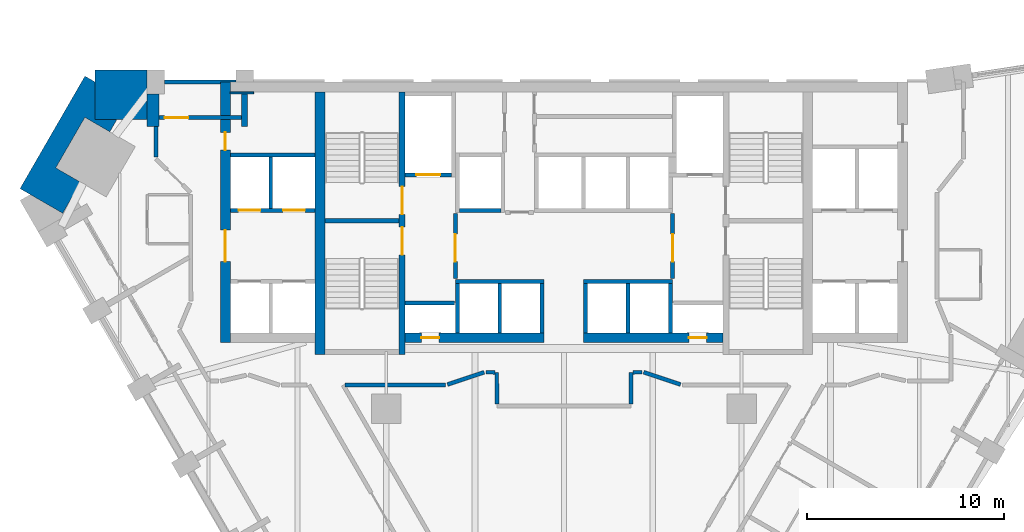
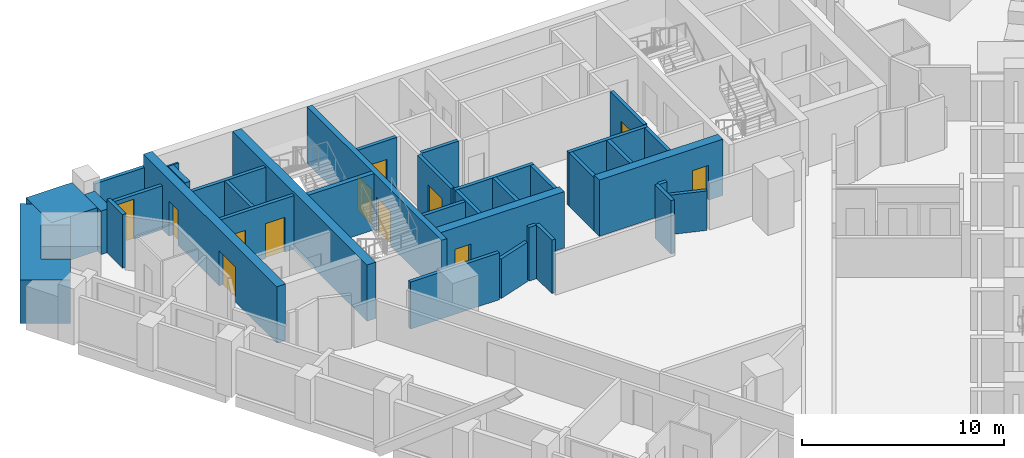
# One storey, part 6 of 10: 37 walls, 12 doors, 12 openings.
"""IFC4 building model written with IfcOpenShell, lengths in metres."""

import ifcopenshell
import ifcopenshell.guid

model = None  # the IFC model being written
_history = None  # IfcOwnerHistory: only IFC2X3 demands one
_inside = {}  # id of a spatial element -> (the spatial element, [elements in it])
_under = {}  # id of a project, library or spatial element -> (it, [spatial elements below it])
_declared = {}  # id of a project -> (the project, [libraries it declares])
_typed = {}  # id of a type object -> (the type object, [elements of that type])
_made_of = {}  # id of a material, layer set ... -> (it, [elements and type objects made of it])


def new_model(schema):
    """Start an empty IFC model of exactly this schema.

    Asked for "IFC4X3", IfcOpenShell would pick the latest addendum, in which some entities
    have other attributes; the version numbers below select the first issue.
    IFC2X3 requires an IfcOwnerHistory on every rooted entity: one is made here for all.
    """
    global model, _history
    if schema == "IFC4X3":
        model = ifcopenshell.file(schema_version=(4, 3, 0, 0))
    else:
        model = ifcopenshell.file(schema=schema)
    _inside.clear()
    _under.clear()
    _declared.clear()
    _typed.clear()
    _made_of.clear()
    _history = None
    if model.schema == "IFC2X3":
        org = make("IfcOrganization", Name="unknown")
        user = make(
            "IfcPersonAndOrganization",
            ThePerson=make("IfcPerson", FamilyName="unknown"),
            TheOrganization=org,
        )
        app = make(
            "IfcApplication",
            ApplicationDeveloper=org,
            Version="unknown",
            ApplicationFullName="unknown",
            ApplicationIdentifier="unknown",
        )
        _history = make(
            "IfcOwnerHistory",
            OwningUser=user,
            OwningApplication=app,
            ChangeAction="ADDED",
            CreationDate=0,
        )
    return model


def make(cls, **values):
    """One entity of the class cls with the attributes given. An attribute that is None is left unset."""
    return model.create_entity(
        cls, **{name: value for name, value in values.items() if value is not None}
    )


def rooted(cls, **values):
    """An entity with a GlobalId (a new one), such as an element, a storey or a relation."""
    return make(cls, GlobalId=ifcopenshell.guid.new(), OwnerHistory=_history, **values)


def si_unit(unit_type, name, prefix=None):
    """IfcSIUnit, for example si_unit("LENGTHUNIT", "METRE", prefix="MILLI")."""
    return make("IfcSIUnit", UnitType=unit_type, Prefix=prefix, Name=name)


def assignment(units):
    """IfcUnitAssignment: the units of a project."""
    return None if units is None else make("IfcUnitAssignment", Units=units)


def point(xyz):
    """IfcCartesianPoint."""
    return None if xyz is None else make("IfcCartesianPoint", Coordinates=xyz)


def direction(xyz):
    """IfcDirection."""
    return None if xyz is None else make("IfcDirection", DirectionRatios=xyz)


def frame(location, z_axis=None, x_axis=None):
    """IfcAxis2Placement3D, a coordinate frame: its origin and axes. An axis left out is left unset."""
    return make(
        "IfcAxis2Placement3D",
        Location=point(location),
        Axis=direction(z_axis),
        RefDirection=direction(x_axis),
    )


def frame_2d(location, x_axis=None):
    """IfcAxis2Placement2D, a coordinate frame in the plane: its origin and x axis."""
    return make(
        "IfcAxis2Placement2D", Location=point(location), RefDirection=direction(x_axis)
    )


def origin():
    """The frame at (0, 0, 0) with its axes left unset."""
    return frame((0.0, 0.0, 0.0))


def place(relative_to, where):
    """IfcLocalPlacement: puts the frame where relative to a parent placement (None: the world)."""
    return make(
        "IfcLocalPlacement", PlacementRelTo=relative_to, RelativePlacement=where
    )


def context(
    kind, dimensions, precision=None, world=None, true_north=None, identifier=None
):
    """IfcGeometricRepresentationContext, for example the 3D "Model" context."""
    return make(
        "IfcGeometricRepresentationContext",
        ContextIdentifier=identifier,
        ContextType=kind,
        CoordinateSpaceDimension=dimensions,
        Precision=precision,
        WorldCoordinateSystem=world,
        TrueNorth=true_north,
    )


def subcontext(parent, identifier, kind, view, scale=None):
    """IfcGeometricRepresentationSubContext, for example "Body" below "Model"."""
    return make(
        "IfcGeometricRepresentationSubContext",
        ContextIdentifier=identifier,
        ContextType=kind,
        ParentContext=parent,
        TargetScale=scale,
        TargetView=view,
    )


def project(units=None, contexts=None):
    """IfcProject with its units and contexts."""
    return rooted(
        "IfcProject",
        Name="project",
        RepresentationContexts=contexts,
        UnitsInContext=assignment(units),
    )


def spatial(cls, under=None, at=None, **own):
    """A site, building, storey or space (cls), placed at a placement, below another one or the project."""
    s = rooted(cls, ObjectPlacement=at, **own)
    if under is not None:
        _under.setdefault(under.id(), (under, []))[1].append(s)
    return s


def polyline(points):
    """IfcPolyline through the points."""
    return make("IfcPolyline", Points=[point(p) for p in points])


def profile(cls, at=None, kind="AREA", **sizes):
    """A parametric profile (cls). Its sizes go by their IFC names, for example OverallWidth=200.0."""
    return make(cls, ProfileType=kind, Position=at, **sizes)


def rectangle(**sizes):
    """IfcRectangleProfileDef."""
    return profile("IfcRectangleProfileDef", **sizes)


def outline(outer, holes=None, kind="AREA"):
    """IfcArbitraryClosedProfileDef: a profile drawn as a closed curve; with holes, ...WithVoids."""
    if holes is None:
        return make("IfcArbitraryClosedProfileDef", ProfileType=kind, OuterCurve=outer)
    return make(
        "IfcArbitraryProfileDefWithVoids",
        ProfileType=kind,
        OuterCurve=outer,
        InnerCurves=holes,
    )


def extrude(swept, where, along, depth):
    """IfcExtrudedAreaSolid: the profile swept, set in the frame where, extruded along a direction by depth."""
    return make(
        "IfcExtrudedAreaSolid",
        SweptArea=swept,
        Position=where,
        ExtrudedDirection=direction(along),
        Depth=depth,
    )


def shape(context_of_items, identifier, shape_type, items):
    """IfcShapeRepresentation: the items that make up one representation, for example the "Body"."""
    return make(
        "IfcShapeRepresentation",
        ContextOfItems=context_of_items,
        RepresentationIdentifier=identifier,
        RepresentationType=shape_type,
        Items=items,
    )


def material(Name=None, Category=None):
    """IfcMaterial."""
    return make("IfcMaterial", Name=Name, Category=Category)


def layer(
    of_material, thickness, ventilated=None, Name=None, Category=None, Priority=None
):
    """IfcMaterialLayer: one layer of a wall or slab, of a material (None: an air gap)."""
    return make(
        "IfcMaterialLayer",
        Material=of_material,
        LayerThickness=thickness,
        IsVentilated=ventilated,
        Name=Name,
        Category=Category,
        Priority=Priority,
    )


def layer_set(layers, Name=None):
    """IfcMaterialLayerSet."""
    return make("IfcMaterialLayerSet", MaterialLayers=layers, LayerSetName=Name)


def made_of(thing, what):
    """Note that an element or type object is made of a material, layer set ...; save() writes the relation."""
    if what is not None:
        _made_of.setdefault(what.id(), (what, []))[1].append(thing)
    return thing


def type_object(cls, material=None, **own):
    """A type object (cls), such as IfcWallType, which elements share."""
    return made_of(rooted(cls, **own), material)


def element(
    cls,
    number,
    at=None,
    inside=None,
    cuts=None,
    type_object=None,
    material=None,
    context=None,
    identifier="Body",
    shape_type=None,
    held_by="IfcProductDefinitionShape",
    body=None,
    shapes=None,
    **own,
):
    """One element of the class cls, such as IfcWall. Its Tag is "e" and its number.

    at: its placement. inside: the storey or other place that contains it. cuts: it is an
    opening in that element (IfcRelVoidsElement). A single representation is given by context,
    identifier, shape_type and body (its items); several are given by shapes. held_by: the class
    of the entity that holds the representations. save() writes the other relations.
    """
    e = rooted(cls, Tag="e%d" % number, ObjectPlacement=at, **own)
    if body is not None:
        shapes = [shape(context, identifier, shape_type, body)]
    if shapes is not None:
        e.Representation = make(held_by, Representations=shapes)
    if inside is not None:
        _inside.setdefault(inside.id(), (inside, []))[1].append(e)
    if cuts is not None:
        rooted(
            "IfcRelVoidsElement", RelatingBuildingElement=cuts, RelatedOpeningElement=e
        )
    if type_object is not None:
        _typed.setdefault(type_object.id(), (type_object, []))[1].append(e)
    return made_of(e, material)


def fill(opening, filler):
    """IfcRelFillsElement: the door or window that sits in an opening."""
    return rooted(
        "IfcRelFillsElement",
        RelatingOpeningElement=opening,
        RelatedBuildingElement=filler,
    )


def aggregate(whole, parts):
    """IfcRelAggregates: a whole, such as a stair, and the parts it consists of."""
    return rooted("IfcRelAggregates", RelatingObject=whole, RelatedObjects=parts)


def save(model, path):
    """Write the relations noted so far, then the file.

    IfcRelAggregates (storeys below a building ...), IfcRelContainedInSpatialStructure (elements
    in a storey), IfcRelDefinesByType, IfcRelAssociatesMaterial and IfcRelDeclares: one each for
    every whole, place, type object, material and project.
    """
    for whole, parts in _under.values():
        aggregate(whole, parts)
    for where, things in _inside.values():
        rooted(
            "IfcRelContainedInSpatialStructure",
            RelatedElements=things,
            RelatingStructure=where,
        )
    for kind, things in _typed.values():
        rooted("IfcRelDefinesByType", RelatedObjects=things, RelatingType=kind)
    for what, things in _made_of.values():
        rooted("IfcRelAssociatesMaterial", RelatedObjects=things, RelatingMaterial=what)
    for by, libraries in _declared.values():
        rooted("IfcRelDeclares", RelatingContext=by, RelatedDefinitions=libraries)
    model.write(path)


model = new_model("IFC4")

# Units and contexts
model_context = context("Model", 3, precision=1e-05, world=origin(), true_north=direction((0.0, 1.0)))
body_context = subcontext(model_context, "Body", "Model", "MODEL_VIEW")
ifc_project = project(units=[si_unit("LENGTHUNIT", "METRE"), si_unit("AREAUNIT", "SQUARE_METRE"), si_unit("VOLUMEUNIT", "CUBIC_METRE"), si_unit("PLANEANGLEUNIT", "RADIAN"), si_unit("MASSUNIT", "GRAM", prefix="KILO")], contexts=[model_context])

# Site, building, storey
site_placement = place(None, origin())
site = spatial("IfcSite", under=ifc_project, at=site_placement, CompositionType="ELEMENT")
building_placement = place(site_placement, origin())
building = spatial("IfcBuilding", under=site, at=building_placement, Name="Calabash Gate Tower", CompositionType="ELEMENT")
storey_placement = place(building_placement, frame((0.0, 0.0, 105.39990234375)))
storey = spatial("IfcBuildingStorey", under=building, at=storey_placement, Name="L23", CompositionType="ELEMENT", Elevation=105.39990234375)

# Walls
ifc_material_1 = material(Name="Terracotta brick masonry, exposed face", Category="masonry")
ifc_layer_1 = layer(ifc_material_1, 2.5)
ifc_layer_set_1 = layer_set([ifc_layer_1], Name="Brick corner mass wall 2500")
wall_type_1 = type_object("IfcWallType", Name="Brick corner mass wall 2500", PredefinedType="SOLIDWALL", material=ifc_layer_set_1)
wall_1_placement = place(storey_placement, origin())
element("IfcWall", 1, at=wall_1_placement, inside=storey, type_object=wall_type_1, Name="Brick corner pier S06 3a", PredefinedType="SOLIDWALL", context=body_context, shape_type="SweptSolid", body=[
    extrude(outline(polyline([(-23.741455078125, 17.152587890625), (-21.119140625, 17.152587890625), (-21.119140625, 19.652587890625), (-23.741455078125, 19.652587890625), (-23.741455078125, 17.152587890625)])), origin(), (0.0, 0.0, 1.0), 2.630126953125),
])
wall_2_placement = place(storey_placement, origin())
element("IfcWall", 2, at=wall_2_placement, inside=storey, type_object=wall_type_1, Name="Brick corner pier S06 3b", PredefinedType="SOLIDWALL", context=body_context, shape_type="SweptSolid", body=[
    extrude(outline(polyline([(-23.003173828125, 16.531005859375), (-22.64453125, 17.152587890625), (-23.741455078125, 17.152587890625), (-23.741455078125, 19.052490234375), (-24.260986328125, 19.3525390625), (-27.55078125, 13.654541015625), (-25.3857421875, 12.404541015625), (-24.478271484375, 13.976318359375), (-25.73876953125, 14.7041015625), (-24.263916015625, 17.2587890625), (-23.003173828125, 16.531005859375)])), origin(), (0.0, 0.0, 1.0), 2.630126953125),
])
ifc_material_2 = material(Name="Terracotta brick masonry, exposed face", Category="masonry")
ifc_layer_2 = layer(ifc_material_2, 1.199951171875)
ifc_layer_set_2 = layer_set([ifc_layer_2], Name="Brick end wall 1200")
wall_type_2 = type_object("IfcWallType", Name="Brick end wall 1200", PredefinedType="SOLIDWALL", material=ifc_layer_set_2)
wall_3_placement = place(storey_placement, origin())
element("IfcWall", 3, at=wall_3_placement, inside=storey, type_object=wall_type_2, Name="Brick pier S06 N6.7b", PredefinedType="SOLIDWALL", context=body_context, shape_type="SweptSolid", body=[
    extrude(outline(polyline([(-16.902099609375, 18.45263671875), (-16.902099609375, 18.552490234375), (-15.718994140625, 18.552490234375), (-15.718994140625, 18.45263671875), (-16.902099609375, 18.45263671875)])), origin(), (0.0, 0.0, 1.0), 2.650146484375),
])
ifc_material_3 = material(Name="Terracotta brick masonry, exposed face", Category="masonry")
ifc_layer_3 = layer(ifc_material_3, 0.300048828125)
ifc_layer_set_3 = layer_set([ifc_layer_3], Name="Brick loggia cheek wall 300")
wall_type_3 = type_object("IfcWallType", Name="Brick loggia cheek wall 300", PredefinedType="SOLIDWALL", material=ifc_layer_set_3)
wall_4_placement = place(storey_placement, origin())
element("IfcWall", 4, at=wall_4_placement, inside=storey, type_object=wall_type_3, Name="Loggia cheek S06 N6.7", PredefinedType="SOLIDWALL", context=body_context, shape_type="SweptSolid", body=[
    extrude(outline(polyline([(-16.01904296875, 16.802490234375), (-16.01904296875, 18.45263671875), (-16.319091796875, 18.45263671875), (-16.319091796875, 16.802490234375), (-16.01904296875, 16.802490234375)])), origin(), (0.0, 0.0, 1.0), 2.650146484375),
])
wall_5_placement = place(storey_placement, origin())
element("IfcWall", 5, at=wall_5_placement, inside=storey, type_object=wall_type_3, Name="Loggia cheek S06 N6.8", PredefinedType="SOLIDWALL", context=body_context, shape_type="SweptSolid", body=[
    extrude(outline(polyline([(-21.119140625, 18.45263671875), (-21.119140625, 16.802490234375), (-20.51904296875, 16.802490234375), (-20.51904296875, 18.45263671875), (-21.119140625, 18.45263671875)])), origin(), (0.0, 0.0, 1.0), 2.630126953125),
])
ifc_material_4 = material(Name="Concrete C80/95", Category="concrete")
ifc_layer_4 = layer(ifc_material_4, 0.25)
ifc_layer_set_4 = layer_set([ifc_layer_4], Name="Core wall 250 Concrete C80/95")
wall_type_4 = type_object("IfcWallType", Name="Core wall 250 Concrete C80/95", PredefinedType="SHEAR", material=ifc_layer_set_4)
wall_6_placement = place(storey_placement, frame((-12.10009765625, 12.027587890625, 0.0), z_axis=(0.0, 0.0, 1.0), x_axis=(1.0, 0.0, 0.0)))
element("IfcWall", 6, at=wall_6_placement, inside=storey, type_object=wall_type_4, Name="Core wall Z2-MIDW L23", PredefinedType="SHEAR", context=body_context, shape_type="SweptSolid", body=[
    extrude(rectangle(XDim=3.75, YDim=0.25, at=frame_2d((1.875, 0.0))), origin(), (0.0, 0.0, 1.0), 3.400146484375),
])

# Wall, openings, doors
ifc_material_5 = material(Name="Concrete C80/95", Category="concrete")
ifc_layer_5 = layer(ifc_material_5, 0.300048828125)
ifc_layer_set_5 = layer_set([ifc_layer_5], Name="Core wall 300 Concrete C80/95")
wall_type_5 = type_object("IfcWallType", Name="Core wall 300 Concrete C80/95", PredefinedType="SHEAR", material=ifc_layer_set_5)
wall_7_placement = place(storey_placement, frame((-8.199951171875, 5.252685546875, 0.0), z_axis=(0.0, 0.0, 1.0), x_axis=(0.0, 1.0, 0.0)))
wall_7 = element("IfcWall", 7, at=wall_7_placement, inside=storey, type_object=wall_type_5, Name="Core wall Z2-PARTW L23", PredefinedType="SHEAR", context=body_context, shape_type="SweptSolid", body=[
    extrude(rectangle(XDim=13.2998046875, YDim=0.300048828125, at=frame_2d((6.64990234375, 0.0))), origin(), (0.0, 0.0, 1.0), 3.400146484375),
])
opening_1_placement = place(wall_7_placement, frame((7.10009765625, 0.0, 0.0)))
opening_1 = element("IfcOpeningElement", 8, at=opening_1_placement, cuts=wall_7, Name="Opening H6-013", PredefinedType="OPENING", context=body_context, shape_type="SweptSolid", body=[
    extrude(rectangle(XDim=1.39990234375, YDim=2.10009765625, at=frame_2d((0.699951171875, 1.050048828125))), frame((0.0, 0.159912109375, 0.0), z_axis=(0.0, -1.0, 0.0), x_axis=(1.0, 0.0, 0.0)), (0.0, 0.0, 1.0), 0.320068359375),
])
opening_2_placement = place(wall_7_placement, frame((5.050048828125, 0.0, 0.0)))
opening_2 = element("IfcOpeningElement", 9, at=opening_2_placement, cuts=wall_7, Name="Opening H6-014", PredefinedType="OPENING", context=body_context, shape_type="SweptSolid", body=[
    extrude(rectangle(XDim=1.39990234375, YDim=2.10009765625, at=frame_2d((0.699951171875, 1.050048828125))), frame((0.0, 0.159912109375, 0.0), z_axis=(0.0, -1.0, 0.0), x_axis=(1.0, 0.0, 0.0)), (0.0, 0.0, 1.0), 0.320068359375),
])
ifc_material_6 = material(Name="Steel fire door set with fire-resisting glazing", Category="steel")
door_type_1 = type_object("IfcDoorType", Name="Fire door D05 1400x2100 FD90", OperationType="NOTDEFINED", PredefinedType="DOOR", material=ifc_material_6)
door_1_placement = place(opening_1_placement, origin())
door_1 = element("IfcDoor", 10, at=door_1_placement, inside=storey, type_object=door_type_1, Name="Exit stair door ST1", OperationType="SINGLE_SWING_LEFT", OverallHeight=2.10009765625, OverallWidth=1.39990234375, PredefinedType="DOOR", context=body_context, shape_type="SweptSolid", body=[
    extrude(rectangle(XDim=1.39990234375, YDim=2.10009765625, at=frame_2d((0.699951171875, 1.050048828125))), frame((0.0, 0.02490234375, 0.0), z_axis=(0.0, -1.0, 0.0), x_axis=(1.0, 0.0, 0.0)), (0.0, 0.0, 1.0), 0.050048828125),
])
fill(opening_1, door_1)
door_2_placement = place(opening_2_placement, origin())
door_2 = element("IfcDoor", 11, at=door_2_placement, inside=storey, type_object=door_type_1, Name="Exit stair door ST2", OperationType="SINGLE_SWING_LEFT", OverallHeight=2.10009765625, OverallWidth=1.39990234375, PredefinedType="DOOR", context=body_context, shape_type="SweptSolid", body=[
    extrude(rectangle(XDim=1.39990234375, YDim=2.10009765625, at=frame_2d((0.699951171875, 1.050048828125))), frame((0.0, 0.02490234375, 0.0), z_axis=(0.0, -1.0, 0.0), x_axis=(1.0, 0.0, 0.0)), (0.0, 0.0, 1.0), 0.050048828125),
])
fill(opening_2, door_2)

# Wall
ifc_material_7 = material(Name="Concrete C80/95", Category="concrete")
ifc_layer_6 = layer(ifc_material_7, 0.5)
ifc_layer_set_6 = layer_set([ifc_layer_6], Name="Core wall 500 Concrete C80/95")
wall_type_6 = type_object("IfcWallType", Name="Core wall 500 Concrete C80/95", PredefinedType="SHEAR", material=ifc_layer_set_6)
wall_8_placement = place(storey_placement, frame((-12.35009765625, 5.252685546875, 0.0), z_axis=(0.0, 0.0, 1.0), x_axis=(0.0, 1.0, 0.0)))
element("IfcWall", 12, at=wall_8_placement, inside=storey, type_object=wall_type_6, Name="Core wall Z2-COLW L23", PredefinedType="SHEAR", context=body_context, shape_type="SweptSolid", body=[
    extrude(rectangle(XDim=13.2998046875, YDim=0.5, at=frame_2d((6.64990234375, 0.0))), origin(), (0.0, 0.0, 1.0), 3.400146484375),
])

# Wall, opening, door
wall_9_placement = place(storey_placement, frame((-8.050048828125, 6.1025390625, 0.0), z_axis=(0.0, 0.0, 1.0), x_axis=(1.0, 0.0, 0.0)))
wall_9 = element("IfcWall", 13, at=wall_9_placement, inside=storey, type_object=wall_type_6, Name="Core wall Z2-SA L23", PredefinedType="SHEAR", context=body_context, shape_type="SweptSolid", body=[
    extrude(rectangle(XDim=7.050048828125, YDim=0.5, at=frame_2d((3.52490234375, 0.0))), origin(), (0.0, 0.0, 1.0), 3.400146484375),
])
opening_3_placement = place(wall_9_placement, frame((0.824951171875, 0.0, 0.0)))
opening_3 = element("IfcOpeningElement", 14, at=opening_3_placement, cuts=wall_9, Name="Opening H6-012", PredefinedType="OPENING", context=body_context, shape_type="SweptSolid", body=[
    extrude(rectangle(XDim=0.89990234375, YDim=2.10009765625, at=frame_2d((0.449951171875, 1.050048828125))), frame((0.0, 0.260009765625, 0.0), z_axis=(0.0, -1.0, 0.0), x_axis=(1.0, 0.0, 0.0)), (0.0, 0.0, 1.0), 0.52001953125),
])
ifc_material_8 = material(Name="Steel fire door set with fire-resisting glazing", Category="steel")
door_type_2 = type_object("IfcDoorType", Name="Fire door D07 900x2100 FD90", OperationType="NOTDEFINED", PredefinedType="DOOR", material=ifc_material_8)
door_3_placement = place(opening_3_placement, origin())
door_3 = element("IfcDoor", 15, at=door_3_placement, inside=storey, type_object=door_type_2, Name="Electrical Riser W door", OperationType="SINGLE_SWING_LEFT", OverallHeight=2.10009765625, OverallWidth=0.89990234375, PredefinedType="DOOR", context=body_context, shape_type="SweptSolid", body=[
    extrude(rectangle(XDim=0.89990234375, YDim=2.10009765625, at=frame_2d((0.449951171875, 1.050048828125))), frame((0.0, 0.02490234375, 0.0), z_axis=(0.0, -1.0, 0.0), x_axis=(1.0, 0.0, 0.0)), (0.0, 0.0, 1.0), 0.050048828125),
])
fill(opening_3, door_3)

wall_10_placement = place(storey_placement, frame((1.0, 6.1025390625, 0.0), z_axis=(0.0, 0.0, 1.0), x_axis=(1.0, 0.0, 0.0)))
wall_10 = element("IfcWall", 16, at=wall_10_placement, inside=storey, type_object=wall_type_6, Name="Core wall Z2-SB L23", PredefinedType="SHEAR", context=body_context, shape_type="SweptSolid", body=[
    extrude(rectangle(XDim=7.050048828125, YDim=0.5, at=frame_2d((3.52490234375, 0.0))), origin(), (0.0, 0.0, 1.0), 3.400146484375),
])
opening_4_placement = place(wall_10_placement, frame((5.324951171875, 0.0, 0.0)))
opening_4 = element("IfcOpeningElement", 17, at=opening_4_placement, cuts=wall_10, Name="Opening H6-011", PredefinedType="OPENING", context=body_context, shape_type="SweptSolid", body=[
    extrude(rectangle(XDim=0.89990234375, YDim=2.10009765625, at=frame_2d((0.449951171875, 1.050048828125))), frame((0.0, 0.260009765625, 0.0), z_axis=(0.0, -1.0, 0.0), x_axis=(1.0, 0.0, 0.0)), (0.0, 0.0, 1.0), 0.52001953125),
])
door_4_placement = place(opening_4_placement, origin())
door_4 = element("IfcDoor", 18, at=door_4_placement, inside=storey, type_object=door_type_2, Name="Mechanical Riser E door", OperationType="SINGLE_SWING_RIGHT", OverallHeight=2.10009765625, OverallWidth=0.89990234375, PredefinedType="DOOR", context=body_context, shape_type="SweptSolid", body=[
    extrude(rectangle(XDim=0.89990234375, YDim=2.10009765625, at=frame_2d((0.449951171875, 1.050048828125))), frame((0.0, 0.02490234375, 0.0), z_axis=(0.0, -1.0, 0.0), x_axis=(1.0, 0.0, 0.0)), (0.0, 0.0, 1.0), 0.050048828125),
])
fill(opening_4, door_4)

# Wall, openings, doors
wall_11_placement = place(storey_placement, frame((-17.14990234375, 5.8525390625, 0.0), z_axis=(0.0, 0.0, 1.0), x_axis=(0.0, 1.0, 0.0)))
wall_11 = element("IfcWall", 19, at=wall_11_placement, inside=storey, type_object=wall_type_6, Name="Core wall Z2-ENDW L23", PredefinedType="SHEAR", context=body_context, shape_type="SweptSolid", body=[
    extrude(rectangle(XDim=13.199951171875, YDim=0.5, at=frame_2d((6.60009765625, 0.0))), origin(), (0.0, 0.0, 1.0), 3.400146484375),
])
opening_5_placement = place(wall_11_placement, frame((4.10009765625, 0.0, 0.0)))
opening_5 = element("IfcOpeningElement", 20, at=opening_5_placement, cuts=wall_11, Name="Opening H6-003", PredefinedType="OPENING", context=body_context, shape_type="SweptSolid", body=[
    extrude(rectangle(XDim=1.60009765625, YDim=2.10009765625, at=frame_2d((0.800048828125, 1.050048828125))), frame((0.0, 0.260009765625, 0.0), z_axis=(0.0, -1.0, 0.0), x_axis=(1.0, 0.0, 0.0)), (0.0, 0.0, 1.0), 0.52001953125),
])
opening_6_placement = place(wall_11_placement, frame((9.75, 0.0, 0.0)))
opening_6 = element("IfcOpeningElement", 21, at=opening_6_placement, cuts=wall_11, Name="Opening H6-004", PredefinedType="OPENING", context=body_context, shape_type="SweptSolid", body=[
    extrude(rectangle(XDim=0.89990234375, YDim=2.10009765625, at=frame_2d((0.449951171875, 1.050048828125))), frame((0.0, 0.260009765625, 0.0), z_axis=(0.0, -1.0, 0.0), x_axis=(1.0, 0.0, 0.0)), (0.0, 0.0, 1.0), 0.52001953125),
])
ifc_material_9 = material(Name="Steel fire door set with fire-resisting glazing", Category="steel")
door_type_3 = type_object("IfcDoorType", Name="Double fire door D08 1600x2100 FD60", OperationType="DOUBLE_DOOR_SINGLE_SWING", PredefinedType="DOOR", material=ifc_material_9)
door_5_placement = place(opening_5_placement, origin())
door_5 = element("IfcDoor", 22, at=door_5_placement, inside=storey, type_object=door_type_3, Name="Low-rise Lift Lobby W door", OperationType="DOUBLE_DOOR_SINGLE_SWING", OverallHeight=2.10009765625, OverallWidth=1.60009765625, PredefinedType="DOOR", context=body_context, shape_type="SweptSolid", body=[
    extrude(rectangle(XDim=1.60009765625, YDim=2.10009765625, at=frame_2d((0.800048828125, 1.050048828125))), frame((0.0, 0.02490234375, 0.0), z_axis=(0.0, -1.0, 0.0), x_axis=(1.0, 0.0, 0.0)), (0.0, 0.0, 1.0), 0.050048828125),
])
fill(opening_5, door_5)
ifc_material_10 = material(Name="Steel fire door set with fire-resisting glazing", Category="steel")
door_type_4 = type_object("IfcDoorType", Name="Fire door D06 900x2100 FD60", OperationType="NOTDEFINED", PredefinedType="DOOR", material=ifc_material_10)
door_6_placement = place(opening_6_placement, origin())
door_6 = element("IfcDoor", 23, at=door_6_placement, inside=storey, type_object=door_type_4, Name="Cleaner's Store door", OperationType="SINGLE_SWING_RIGHT", OverallHeight=2.10009765625, OverallWidth=0.89990234375, PredefinedType="DOOR", context=body_context, shape_type="SweptSolid", body=[
    extrude(rectangle(XDim=0.89990234375, YDim=2.10009765625, at=frame_2d((0.449951171875, 1.050048828125))), frame((0.0, 0.02490234375, 0.0), z_axis=(0.0, -1.0, 0.0), x_axis=(1.0, 0.0, 0.0)), (0.0, 0.0, 1.0), 0.050048828125),
])
fill(opening_6, door_6)

# Walls
ifc_material_11 = material(Name="Gypsum board on steel studs, mineral wool", Category="steel")
ifc_layer_7 = layer(ifc_material_11, 0.199951171875)
ifc_layer_set_7 = layer_set([ifc_layer_7], Name="Partition 200 gypsum board EI 60")
wall_type_7 = type_object("IfcWallType", Name="Partition 200 gypsum board EI 60", PredefinedType="PARTITIONING", material=ifc_layer_set_7)
wall_12_placement = place(storey_placement, frame((-3.402099609375, 4.3505859375, 0.0), z_axis=(0.0, 0.0, 1.0), x_axis=(0.001222119466, -0.999999253212, 0.0)))
element("IfcWall", 24, at=wall_12_placement, inside=storey, type_object=wall_type_7, Name="Partition", PredefinedType="PARTITIONING", context=body_context, shape_type="SweptSolid", body=[
    extrude(rectangle(XDim=1.59814453125, YDim=0.199951171875, at=frame_2d((0.799072265625, 0.0))), origin(), (0.0, 0.0, 1.0), 3.22998046875),
])
wall_13_placement = place(storey_placement, frame((-11.080078125, 3.69970703125, 0.0), z_axis=(0.0, 0.0, 1.0), x_axis=(1.0, 0.0, 0.0)))
element("IfcWall", 25, at=wall_13_placement, inside=storey, type_object=wall_type_7, Name="Partition", PredefinedType="PARTITIONING", context=body_context, shape_type="SweptSolid", body=[
    extrude(rectangle(XDim=5.080078125, YDim=0.199951171875, at=frame_2d((2.5400390625, 0.0))), origin(), (0.0, 0.0, 1.0), 2.831787109375),
])
for number, where, z_axis, x_axis, name in (
    (26, (4.042236328125, 4.352294921875, 0.0), (0.0, 0.0, 1.0), (0.948695731075, -0.316190464499, 0.0), "Partition"),
    (27, (-5.905029296875, 3.7314453125, 0.0), (0.0, 0.0, 1.0), (0.948695731075, 0.316190464499, 0.0), "Partition"),
):
    element("IfcWall", number, at=place(storey_placement, frame(where, z_axis=z_axis, x_axis=x_axis)), inside=storey, type_object=wall_type_7, Name=name, PredefinedType="PARTITIONING", context=body_context, shape_type="SweptSolid", body=[
        extrude(rectangle(XDim=1.963623046875, YDim=0.199951171875, at=frame_2d((0.98193359375, 0.0))), origin(), (0.0, 0.0, 1.0), 2.38427734375),
    ])
wall_14_placement = place(storey_placement, frame((-3.9423828125, 4.35205078125, 0.0), z_axis=(0.0, 0.0, 1.0), x_axis=(0.999996159087, -0.00277160798, 0.0)))
element("IfcWall", 28, at=wall_14_placement, inside=storey, type_object=wall_type_7, Name="Partition", PredefinedType="PARTITIONING", context=body_context, shape_type="SweptSolid", body=[
    extrude(rectangle(XDim=0.4404296875, YDim=0.199951171875, at=frame_2d((0.22021484375, 0.0))), origin(), (0.0, 0.0, 1.0), 3.22998046875),
])
wall_15_placement = place(storey_placement, frame((3.400146484375, 2.75244140625, 0.0), z_axis=(0.0, 0.0, 1.0), x_axis=(0.001222119466, 0.999999253212, 0.0)))
element("IfcWall", 29, at=wall_15_placement, inside=storey, type_object=wall_type_7, Name="Partition", PredefinedType="PARTITIONING", context=body_context, shape_type="SweptSolid", body=[
    extrude(rectangle(XDim=1.59814453125, YDim=0.199951171875, at=frame_2d((0.799072265625, 0.0))), origin(), (0.0, 0.0, 1.0), 3.22998046875),
])
wall_16_placement = place(storey_placement, frame((3.501953125, 4.350830078125, 0.0), z_axis=(0.0, 0.0, 1.0), x_axis=(0.999996159087, 0.00277160798, 0.0)))
element("IfcWall", 30, at=wall_16_placement, inside=storey, type_object=wall_type_7, Name="Partition", PredefinedType="PARTITIONING", context=body_context, shape_type="SweptSolid", body=[
    extrude(rectangle(XDim=0.4404296875, YDim=0.199951171875, at=frame_2d((0.22021484375, 0.0))), origin(), (0.0, 0.0, 1.0), 3.22998046875),
])
wall_17_placement = place(storey_placement, frame((-20.66943359375, 16.802490234375, 0.0), z_axis=(0.0, 0.0, 1.0), x_axis=(0.0, -1.0, 0.0)))
element("IfcWall", 31, at=wall_17_placement, inside=storey, type_object=wall_type_7, Name="Partition", PredefinedType="PARTITIONING", context=body_context, shape_type="SweptSolid", body=[
    extrude(rectangle(XDim=1.55029296875, YDim=0.199951171875, at=frame_2d((0.775146484375, 0.0))), origin(), (0.0, 0.0, 1.0), 3.22998046875),
])
ifc_material_12 = material(Name="Concrete C40/50", Category="concrete")
ifc_layer_8 = layer(ifc_material_12, 0.199951171875)
ifc_layer_set_8 = layer_set([ifc_layer_8], Name="Shaft wall 200 Concrete C40/50")
wall_type_8 = type_object("IfcWallType", Name="Shaft wall 200 Concrete C40/50", PredefinedType="SOLIDWALL", material=ifc_layer_set_8)
for number, where, z_axis, x_axis, name in (
    (32, (-5.39990234375, 6.3525390625, 0.0), (0.0, 0.0, 1.0), (0.0, 1.0, 0.0), "Shaft wall"),
    (33, (-3.25, 6.3525390625, 0.0), (0.0, 0.0, 1.0), (0.0, 1.0, 0.0), "Shaft wall"),
    (34, (-1.10009765625, 6.3525390625, 0.0), (0.0, 0.0, 1.0), (0.0, 1.0, 0.0), "Shaft wall"),
    (35, (1.10009765625, 6.3525390625, 0.0), (0.0, 0.0, 1.0), (0.0, 1.0, 0.0), "Shaft wall"),
    (36, (3.25, 6.3525390625, 0.0), (0.0, 0.0, 1.0), (0.0, 1.0, 0.0), "Shaft wall"),
    (37, (5.39990234375, 6.3525390625, 0.0), (0.0, 0.0, 1.0), (0.0, 1.0, 0.0), "Shaft wall"),
    (38, (-8.050048828125, 7.8525390625, 0.0), (0.0, 0.0, 1.0), (1.0, 0.0, 0.0), "Shaft wall"),
):
    element("IfcWall", number, at=place(storey_placement, frame(where, z_axis=z_axis, x_axis=x_axis)), inside=storey, type_object=wall_type_8, Name=name, PredefinedType="SOLIDWALL", context=body_context, shape_type="SweptSolid", body=[
        extrude(rectangle(XDim=2.5, YDim=0.199951171875, at=frame_2d((1.25, 0.0))), origin(), (0.0, 0.0, 1.0), 3.22998046875),
    ])
for number, where, z_axis, x_axis, name in (
    (39, (-5.5, 8.95263671875, 0.0), (0.0, 0.0, 1.0), (1.0, 0.0, 0.0), "Shaft wall"),
    (40, (1.0, 8.95263671875, 0.0), (0.0, 0.0, 1.0), (1.0, 0.0, 0.0), "Shaft wall"),
):
    element("IfcWall", number, at=place(storey_placement, frame(where, z_axis=z_axis, x_axis=x_axis)), inside=storey, type_object=wall_type_8, Name=name, PredefinedType="SOLIDWALL", context=body_context, shape_type="SweptSolid", body=[
        extrude(rectangle(XDim=4.5, YDim=0.199951171875, at=frame_2d((2.25, 0.0))), origin(), (0.0, 0.0, 1.0), 3.22998046875),
    ])

# Wall, opening, door
wall_18_placement = place(storey_placement, frame((-5.5, 9.1025390625, 0.0), z_axis=(0.0, 0.0, 1.0), x_axis=(0.0, 1.0, 0.0)))
wall_18 = element("IfcWall", 41, at=wall_18_placement, inside=storey, type_object=wall_type_8, Name="Shaft wall", PredefinedType="SOLIDWALL", context=body_context, shape_type="SweptSolid", body=[
    extrude(rectangle(XDim=3.300048828125, YDim=0.199951171875, at=frame_2d((1.64990234375, 0.0))), origin(), (0.0, 0.0, 1.0), 3.22998046875),
])
opening_7_placement = place(wall_18_placement, frame((0.85009765625, 0.0, 0.0)))
opening_7 = element("IfcOpeningElement", 42, at=opening_7_placement, cuts=wall_18, Name="Opening H6-007", PredefinedType="OPENING", context=body_context, shape_type="SweptSolid", body=[
    extrude(rectangle(XDim=1.39990234375, YDim=2.10009765625, at=frame_2d((0.699951171875, 1.050048828125))), frame((0.0, 0.10986328125, 0.0), z_axis=(0.0, -1.0, 0.0), x_axis=(1.0, 0.0, 0.0)), (0.0, 0.0, 1.0), 0.219970703125),
])
door_7_placement = place(opening_7_placement, origin())
door_7 = element("IfcDoor", 43, at=door_7_placement, inside=storey, type_object=door_type_1, Name="Firefighting Lobby W door", OperationType="SINGLE_SWING_RIGHT", OverallHeight=2.10009765625, OverallWidth=1.39990234375, PredefinedType="DOOR", context=body_context, shape_type="SweptSolid", body=[
    extrude(rectangle(XDim=1.39990234375, YDim=2.10009765625, at=frame_2d((0.699951171875, 1.050048828125))), frame((0.0, 0.02490234375, 0.0), z_axis=(0.0, -1.0, 0.0), x_axis=(1.0, 0.0, 0.0)), (0.0, 0.0, 1.0), 0.050048828125),
])
fill(opening_7, door_7)

wall_19_placement = place(storey_placement, frame((5.5, 9.1025390625, 0.0), z_axis=(0.0, 0.0, 1.0), x_axis=(0.0, 1.0, 0.0)))
wall_19 = element("IfcWall", 44, at=wall_19_placement, inside=storey, type_object=wall_type_8, Name="Shaft wall", PredefinedType="SOLIDWALL", context=body_context, shape_type="SweptSolid", body=[
    extrude(rectangle(XDim=3.300048828125, YDim=0.199951171875, at=frame_2d((1.64990234375, 0.0))), origin(), (0.0, 0.0, 1.0), 3.22998046875),
])
opening_8_placement = place(wall_19_placement, frame((0.85009765625, 0.0, 0.0)))
opening_8 = element("IfcOpeningElement", 45, at=opening_8_placement, cuts=wall_19, Name="Opening H6-006", PredefinedType="OPENING", context=body_context, shape_type="SweptSolid", body=[
    extrude(rectangle(XDim=1.39990234375, YDim=2.10009765625, at=frame_2d((0.699951171875, 1.050048828125))), frame((0.0, 0.10986328125, 0.0), z_axis=(0.0, -1.0, 0.0), x_axis=(1.0, 0.0, 0.0)), (0.0, 0.0, 1.0), 0.219970703125),
])
door_8_placement = place(opening_8_placement, origin())
door_8 = element("IfcDoor", 46, at=door_8_placement, inside=storey, type_object=door_type_1, Name="Firefighting Lobby E door", OperationType="SINGLE_SWING_LEFT", OverallHeight=2.10009765625, OverallWidth=1.39990234375, PredefinedType="DOOR", context=body_context, shape_type="SweptSolid", body=[
    extrude(rectangle(XDim=1.39990234375, YDim=2.10009765625, at=frame_2d((0.699951171875, 1.050048828125))), frame((0.0, 0.02490234375, 0.0), z_axis=(0.0, -1.0, 0.0), x_axis=(1.0, 0.0, 0.0)), (0.0, 0.0, 1.0), 0.050048828125),
])
fill(opening_8, door_8)

# Wall, openings, doors
wall_20_placement = place(storey_placement, frame((-16.89990234375, 12.552490234375, 0.0), z_axis=(0.0, 0.0, 1.0), x_axis=(1.0, 0.0, 0.0)))
wall_20 = element("IfcWall", 47, at=wall_20_placement, inside=storey, type_object=wall_type_8, Name="Shaft wall", PredefinedType="SOLIDWALL", context=body_context, shape_type="SweptSolid", body=[
    extrude(rectangle(XDim=4.2998046875, YDim=0.199951171875, at=frame_2d((2.14990234375, 0.0))), origin(), (0.0, 0.0, 1.0), 3.22998046875),
])
opening_9_placement = place(wall_20_placement, frame((2.675048828125, 0.0, 0.0)))
opening_9 = element("IfcOpeningElement", 48, at=opening_9_placement, cuts=wall_20, Name="Opening LD-LR3", PredefinedType="OPENING", context=body_context, shape_type="SweptSolid", body=[
    extrude(rectangle(XDim=1.10009765625, YDim=2.10009765625, at=frame_2d((0.550048828125, 1.050048828125))), frame((0.0, 0.10986328125, 0.0), z_axis=(0.0, -1.0, 0.0), x_axis=(1.0, 0.0, 0.0)), (0.0, 0.0, 1.0), 0.219970703125),
])
opening_10_placement = place(wall_20_placement, frame((0.425048828125, 0.0, 0.0)))
opening_10 = element("IfcOpeningElement", 49, at=opening_10_placement, cuts=wall_20, Name="Opening LD-LR4", PredefinedType="OPENING", context=body_context, shape_type="SweptSolid", body=[
    extrude(rectangle(XDim=1.10009765625, YDim=2.10009765625, at=frame_2d((0.550048828125, 1.050048828125))), frame((0.0, 0.10986328125, 0.0), z_axis=(0.0, -1.0, 0.0), x_axis=(1.0, 0.0, 0.0)), (0.0, 0.0, 1.0), 0.219970703125),
])
ifc_material_13 = material(Name="Stainless steel sliding door leaves", Category="steel")
door_type_5 = type_object("IfcDoorType", Name="Lift landing door LS1 1100x2100 FD90", OperationType="DOUBLE_DOOR_SLIDING", PredefinedType="DOOR", material=ifc_material_13)
door_9_placement = place(opening_9_placement, origin())
door_9 = element("IfcDoor", 50, at=door_9_placement, inside=storey, type_object=door_type_5, Name="Lift landing door LR3", OperationType="DOUBLE_DOOR_SLIDING", OverallHeight=2.10009765625, OverallWidth=1.10009765625, PredefinedType="DOOR", context=body_context, shape_type="SweptSolid", body=[
    extrude(rectangle(XDim=1.10009765625, YDim=2.10009765625, at=frame_2d((0.550048828125, 1.050048828125))), frame((0.0, 0.02490234375, 0.0), z_axis=(0.0, -1.0, 0.0), x_axis=(1.0, 0.0, 0.0)), (0.0, 0.0, 1.0), 0.050048828125),
])
fill(opening_9, door_9)
door_10_placement = place(opening_10_placement, origin())
door_10 = element("IfcDoor", 51, at=door_10_placement, inside=storey, type_object=door_type_5, Name="Lift landing door LR4", OperationType="DOUBLE_DOOR_SLIDING", OverallHeight=2.10009765625, OverallWidth=1.10009765625, PredefinedType="DOOR", context=body_context, shape_type="SweptSolid", body=[
    extrude(rectangle(XDim=1.10009765625, YDim=2.10009765625, at=frame_2d((0.550048828125, 1.050048828125))), frame((0.0, 0.02490234375, 0.0), z_axis=(0.0, -1.0, 0.0), x_axis=(1.0, 0.0, 0.0)), (0.0, 0.0, 1.0), 0.050048828125),
])
fill(opening_10, door_10)

# Walls
wall_21_placement = place(storey_placement, frame((-5.300048828125, 12.552490234375, 0.0), z_axis=(0.0, 0.0, 1.0), x_axis=(1.0, 0.0, 0.0)))
element("IfcWall", 52, at=wall_21_placement, inside=storey, type_object=wall_type_8, Name="Shaft wall", PredefinedType="SOLIDWALL", context=body_context, shape_type="SweptSolid", body=[
    extrude(rectangle(XDim=2.10009765625, YDim=0.199951171875, at=frame_2d((1.050048828125, 0.0))), origin(), (0.0, 0.0, 1.0), 3.22998046875),
])
wall_22_placement = place(storey_placement, frame((-14.85009765625, 12.652587890625, 0.0), z_axis=(0.0, 0.0, 1.0), x_axis=(0.0, 1.0, 0.0)))
element("IfcWall", 53, at=wall_22_placement, inside=storey, type_object=wall_type_8, Name="Shaft wall", PredefinedType="SOLIDWALL", context=body_context, shape_type="SweptSolid", body=[
    extrude(rectangle(XDim=2.60009765625, YDim=0.199951171875, at=frame_2d((1.300048828125, 0.0))), origin(), (0.0, 0.0, 1.0), 3.22998046875),
])

# Wall, opening, door
wall_23_placement = place(storey_placement, frame((-8.050048828125, 14.3525390625, 0.0), z_axis=(0.0, 0.0, 1.0), x_axis=(1.0, 0.0, 0.0)))
wall_23 = element("IfcWall", 54, at=wall_23_placement, inside=storey, type_object=wall_type_8, Name="Shaft wall", PredefinedType="SOLIDWALL", context=body_context, shape_type="SweptSolid", body=[
    extrude(rectangle(XDim=2.35009765625, YDim=0.199951171875, at=frame_2d((1.175048828125, 0.0))), origin(), (0.0, 0.0, 1.0), 3.22998046875),
])
opening_11_placement = place(wall_23_placement, frame((0.574951171875, 0.0, 0.0)))
opening_11 = element("IfcOpeningElement", 55, at=opening_11_placement, cuts=wall_23, Name="Opening LD-FF1", PredefinedType="OPENING", context=body_context, shape_type="SweptSolid", body=[
    extrude(rectangle(XDim=1.199951171875, YDim=2.10009765625, at=frame_2d((0.60009765625, 1.050048828125))), frame((0.0, 0.10986328125, 0.0), z_axis=(0.0, -1.0, 0.0), x_axis=(1.0, 0.0, 0.0)), (0.0, 0.0, 1.0), 0.219970703125),
])
ifc_material_14 = material(Name="Stainless steel sliding door leaves", Category="steel")
door_type_6 = type_object("IfcDoorType", Name="Lift landing door LS3 1200x2100 FD90", OperationType="DOUBLE_DOOR_SLIDING", PredefinedType="DOOR", material=ifc_material_14)
door_11_placement = place(opening_11_placement, origin())
door_11 = element("IfcDoor", 56, at=door_11_placement, inside=storey, type_object=door_type_6, Name="Lift landing door FF1", OperationType="DOUBLE_DOOR_SLIDING", OverallHeight=2.10009765625, OverallWidth=1.199951171875, PredefinedType="DOOR", context=body_context, shape_type="SweptSolid", body=[
    extrude(rectangle(XDim=1.199951171875, YDim=2.10009765625, at=frame_2d((0.60009765625, 1.050048828125))), frame((0.0, 0.02490234375, 0.0), z_axis=(0.0, -1.0, 0.0), x_axis=(1.0, 0.0, 0.0)), (0.0, 0.0, 1.0), 0.050048828125),
])
fill(opening_11, door_11)

# Walls
wall_24_placement = place(storey_placement, frame((-16.89990234375, 15.3525390625, 0.0), z_axis=(0.0, 0.0, 1.0), x_axis=(1.0, 0.0, 0.0)))
element("IfcWall", 57, at=wall_24_placement, inside=storey, type_object=wall_type_8, Name="Shaft wall", PredefinedType="SOLIDWALL", context=body_context, shape_type="SweptSolid", body=[
    extrude(rectangle(XDim=4.2998046875, YDim=0.199951171875, at=frame_2d((2.14990234375, 0.0))), origin(), (0.0, 0.0, 1.0), 3.22998046875),
])
ifc_material_15 = material(Name="Terracotta brick masonry, perforated", Category="masonry")
ifc_layer_9 = layer(ifc_material_15, 0.199951171875)
ifc_layer_set_9 = layer_set([ifc_layer_9], Name="Terracotta jaali screen B")
wall_type_9 = type_object("IfcWallType", Name="Terracotta jaali screen B", PredefinedType="SOLIDWALL", material=ifc_layer_set_9)
wall_25_placement = place(storey_placement, origin())
element("IfcWall", 58, at=wall_25_placement, inside=storey, type_object=wall_type_9, Name="SCREEN B S06 N6.8", PredefinedType="SOLIDWALL", context=body_context, shape_type="SweptSolid", body=[
    extrude(outline(polyline([(-16.619140625, 19.052490234375), (-16.619140625, 19.152587890625), (-20.218994140625, 19.152587890625), (-20.218994140625, 18.95263671875), (-17.39990234375, 18.95263671875), (-17.39990234375, 19.052490234375), (-16.619140625, 19.052490234375)])), origin(), (0.0, 0.0, 1.0), 2.650146484375),
])

# Wall, opening, door
ifc_material_16 = material(Name="Aluminium framed window wall with insulated spandrel", Category="aluminium")
ifc_layer_10 = layer(ifc_material_16, 0.199951171875)
ifc_layer_set_10 = layer_set([ifc_layer_10], Name="Window wall 200")
wall_type_10 = type_object("IfcWallType", Name="Window wall 200", PredefinedType="ELEMENTEDWALL", material=ifc_layer_set_10)
wall_26_placement = place(storey_placement, frame((-16.319091796875, 17.25244140625, 0.0), z_axis=(0.0, 0.0, 1.0), x_axis=(-1.0, 0.0, 0.0)))
wall_26 = element("IfcWall", 59, at=wall_26_placement, inside=storey, type_object=wall_type_10, Name="Window wall S06 N6.8", PredefinedType="ELEMENTEDWALL", context=body_context, shape_type="SweptSolid", body=[
    extrude(rectangle(XDim=4.199951171875, YDim=0.199951171875, at=frame_2d((2.10009765625, 0.0))), origin(), (0.0, 0.0, 1.0), 2.650146484375),
])
opening_12_placement = place(wall_26_placement, frame((2.699951171875, 0.0, 0.0)))
opening_12 = element("IfcOpeningElement", 60, at=opening_12_placement, cuts=wall_26, Name="Opening H6-017", PredefinedType="OPENING", context=body_context, shape_type="SweptSolid", body=[
    extrude(rectangle(XDim=1.199951171875, YDim=2.39990234375, at=frame_2d((0.60009765625, 1.199951171875))), frame((0.0, 0.10986328125, 0.0), z_axis=(0.0, -1.0, 0.0), x_axis=(1.0, 0.0, 0.0)), (0.0, 0.0, 1.0), 0.219970703125),
])
ifc_material_17 = material(Name="Anodised aluminium frame, bronze finish, impact-rated laminated clear glazing", Category="aluminium")
door_type_7 = type_object("IfcDoorType", Name="Loggia door DH1 1200x2400", OperationType="SLIDING_TO_LEFT", PredefinedType="DOOR", material=ifc_material_17)
door_12_placement = place(opening_12_placement, origin())
door_12 = element("IfcDoor", 61, at=door_12_placement, inside=storey, type_object=door_type_7, Name="Loggia door S06 N6.8", OperationType="SINGLE_SWING_LEFT", OverallHeight=2.39990234375, OverallWidth=1.199951171875, PredefinedType="DOOR", context=body_context, shape_type="SweptSolid", body=[
    extrude(rectangle(XDim=1.199951171875, YDim=2.39990234375, at=frame_2d((0.60009765625, 1.199951171875))), frame((0.0, 0.02490234375, 0.0), z_axis=(0.0, -1.0, 0.0), x_axis=(1.0, 0.0, 0.0)), (0.0, 0.0, 1.0), 0.050048828125),
])
fill(opening_12, door_12)

save(model, "model.ifc")
